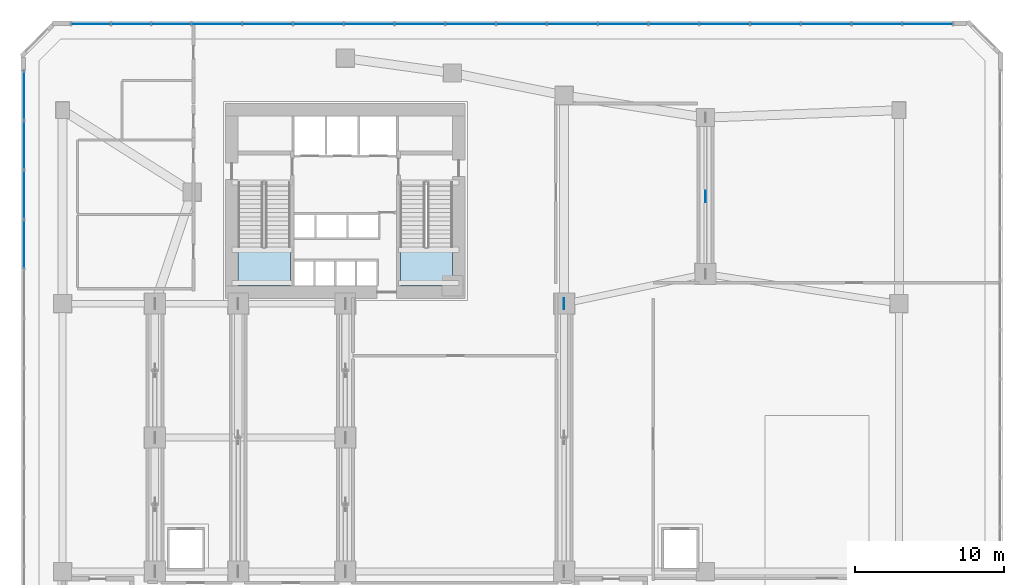
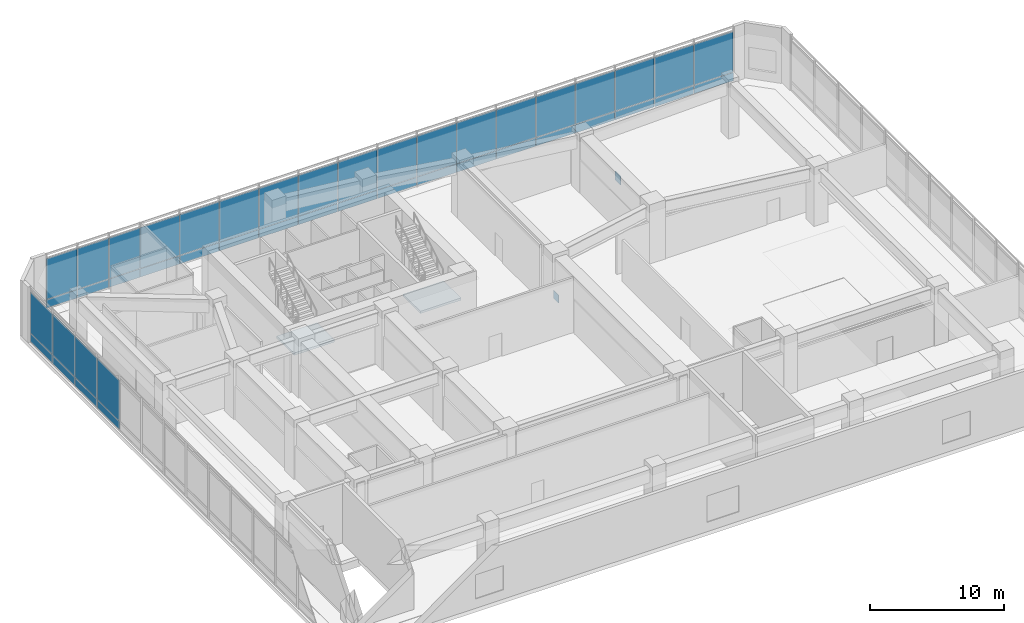
# One storey, part 13 of 21: 46 plates, 2 slabs, 4 elements without a shape of their own.
"""IFC4 building model written with IfcOpenShell, lengths in metres."""

from ifc_helpers import new_model, si_unit, direction, frame, frame_2d, origin, origin_2d, place, context, subcontext, project, spatial, polyline, rectangle, outline, extrude, source, transform, mapped, material, layer, layer_set, type_object, element, aggregate, save


model = new_model("IFC4")

# Units and contexts
model_context = context("Model", 3, precision=1e-05, world=origin(), true_north=direction((0.0, 1.0)))
body_context = subcontext(model_context, "Body", "Model", "MODEL_VIEW")
ifc_project = project(units=[si_unit("LENGTHUNIT", "METRE"), si_unit("AREAUNIT", "SQUARE_METRE"), si_unit("VOLUMEUNIT", "CUBIC_METRE"), si_unit("PLANEANGLEUNIT", "RADIAN"), si_unit("MASSUNIT", "GRAM", prefix="KILO")], contexts=[model_context])

# Site, building, storey
site_placement = place(None, origin())
site = spatial("IfcSite", under=ifc_project, at=site_placement, CompositionType="ELEMENT")
building_placement = place(site_placement, origin())
building = spatial("IfcBuilding", under=site, at=building_placement, Name="Calvemar Wedge Station Tower", CompositionType="ELEMENT")
storey_placement = place(building_placement, frame((0.0, 0.0, 21.60009765625)))
storey = spatial("IfcBuildingStorey", under=building, at=storey_placement, Name="L05", CompositionType="ELEMENT", Elevation=21.60009765625)

# Curtain wall, plates
ifc_material_1 = material(Name="Anodised aluminium 6063-T6", Category="aluminium")
curtain_wall_type = type_object("IfcCurtainWallType", Name="CW5", PredefinedType="NOTDEFINED", material=ifc_material_1)
curtain_wall_1_placement = place(storey_placement, origin())
curtain_wall_1 = element("IfcCurtainWall", 1, at=curtain_wall_1_placement, inside=storey, type_object=curtain_wall_type, Name="Storey L05 CW5 Recessed Unitised Curtain Wall 4", PredefinedType="NOTDEFINED")
ifc_material_2 = material(Name="Low-E laminated insulated glass", Category="glass")
ifc_layer_1 = layer(ifc_material_2, 0.028076171875)
ifc_layer_set_1 = layer_set([ifc_layer_1], Name="Low-E laminated insulated glass")
plate_type_1 = type_object("IfcPlateType", Name="CW5-GLZ", PredefinedType="CURTAIN_PANEL", material=ifc_layer_set_1)
plate_1_placement = place(storey_placement, frame((64.619873046875, 51.7900390625, 0.869873046875), z_axis=(0.0, 0.0, 1.0), x_axis=(-1.0, 0.0, 0.0)))
plate_1 = element("IfcPlate", 2, at=plate_1_placement, type_object=plate_type_1, Name="CW5 vision glass panel 1", PredefinedType="CURTAIN_PANEL", context=body_context, shape_type="SweptSolid", body=[
    extrude(rectangle(XDim=3.3759765625, YDim=0.028076171875, at=frame_2d((1.68798828125, 0.0))), origin(), (0.0, 0.0, 1.0), 3.7099609375),
])
plate_2_placement = place(storey_placement, frame((61.2080078125, 51.7900390625, 0.869873046875), z_axis=(0.0, 0.0, 1.0), x_axis=(-1.0, 0.0, 0.0)))
plate_2 = element("IfcPlate", 3, at=plate_2_placement, type_object=plate_type_1, Name="CW5 vision glass panel 2", PredefinedType="CURTAIN_PANEL", context=body_context, shape_type="SweptSolid", body=[
    extrude(rectangle(XDim=3.375732421875, YDim=0.028076171875, at=frame_2d((1.68798828125, 0.0))), origin(), (0.0, 0.0, 1.0), 3.7099609375),
])
plate_3_placement = place(storey_placement, frame((57.796142578125, 51.7900390625, 0.869873046875), z_axis=(0.0, 0.0, 1.0), x_axis=(-1.0, 0.0, 0.0)))
plate_3 = element("IfcPlate", 4, at=plate_3_placement, type_object=plate_type_1, Name="CW5 vision glass panel 3", PredefinedType="CURTAIN_PANEL", context=body_context, shape_type="SweptSolid", body=[
    extrude(rectangle(XDim=3.375732421875, YDim=0.028076171875, at=frame_2d((1.68798828125, 0.0))), origin(), (0.0, 0.0, 1.0), 3.7099609375),
])
plate_4_placement = place(storey_placement, frame((54.38427734375, 51.7900390625, 0.869873046875), z_axis=(0.0, 0.0, 1.0), x_axis=(-1.0, 0.0, 0.0)))
plate_4 = element("IfcPlate", 5, at=plate_4_placement, type_object=plate_type_1, Name="CW5 vision glass panel 4", PredefinedType="CURTAIN_PANEL", context=body_context, shape_type="SweptSolid", body=[
    extrude(rectangle(XDim=3.375732421875, YDim=0.028076171875, at=frame_2d((1.68798828125, 0.0))), origin(), (0.0, 0.0, 1.0), 3.7099609375),
])
plate_5_placement = place(storey_placement, frame((50.972412109375, 51.7900390625, 0.869873046875), z_axis=(0.0, 0.0, 1.0), x_axis=(-1.0, 0.0, 0.0)))
plate_5 = element("IfcPlate", 6, at=plate_5_placement, type_object=plate_type_1, Name="CW5 vision glass panel 5", PredefinedType="CURTAIN_PANEL", context=body_context, shape_type="SweptSolid", body=[
    extrude(rectangle(XDim=3.375732421875, YDim=0.028076171875, at=frame_2d((1.68798828125, 0.0))), origin(), (0.0, 0.0, 1.0), 3.7099609375),
])
plate_6_placement = place(storey_placement, frame((47.560546875, 51.7900390625, 0.869873046875), z_axis=(0.0, 0.0, 1.0), x_axis=(-1.0, 0.0, 0.0)))
plate_6 = element("IfcPlate", 7, at=plate_6_placement, type_object=plate_type_1, Name="CW5 vision glass panel 6", PredefinedType="CURTAIN_PANEL", context=body_context, shape_type="SweptSolid", body=[
    extrude(rectangle(XDim=3.375732421875, YDim=0.028076171875, at=frame_2d((1.68798828125, 0.0))), origin(), (0.0, 0.0, 1.0), 3.7099609375),
])
plate_7_placement = place(storey_placement, frame((44.148681640625, 51.7900390625, 0.869873046875), z_axis=(0.0, 0.0, 1.0), x_axis=(-1.0, 0.0, 0.0)))
plate_7 = element("IfcPlate", 8, at=plate_7_placement, type_object=plate_type_1, Name="CW5 vision glass panel 7", PredefinedType="CURTAIN_PANEL", context=body_context, shape_type="SweptSolid", body=[
    extrude(rectangle(XDim=3.375732421875, YDim=0.028076171875, at=frame_2d((1.68798828125, 0.0))), origin(), (0.0, 0.0, 1.0), 3.7099609375),
])
plate_8_placement = place(storey_placement, frame((40.73681640625, 51.7900390625, 0.869873046875), z_axis=(0.0, 0.0, 1.0), x_axis=(-1.0, 0.0, 0.0)))
plate_8 = element("IfcPlate", 9, at=plate_8_placement, type_object=plate_type_1, Name="CW5 vision glass panel 8", PredefinedType="CURTAIN_PANEL", context=body_context, shape_type="SweptSolid", body=[
    extrude(rectangle(XDim=3.375732421875, YDim=0.028076171875, at=frame_2d((1.68798828125, 0.0))), origin(), (0.0, 0.0, 1.0), 3.7099609375),
])
plate_9_placement = place(storey_placement, frame((37.324951171875, 51.7900390625, 0.869873046875), z_axis=(0.0, 0.0, 1.0), x_axis=(-1.0, 0.0, 0.0)))
plate_9 = element("IfcPlate", 10, at=plate_9_placement, type_object=plate_type_1, Name="CW5 vision glass panel 9", PredefinedType="CURTAIN_PANEL", context=body_context, shape_type="SweptSolid", body=[
    extrude(rectangle(XDim=3.375732421875, YDim=0.028076171875, at=frame_2d((1.68798828125, 0.0))), origin(), (0.0, 0.0, 1.0), 3.7099609375),
])
plate_10_placement = place(storey_placement, frame((33.9130859375, 51.7900390625, 0.869873046875), z_axis=(0.0, 0.0, 1.0), x_axis=(-1.0, 0.0, 0.0)))
plate_10 = element("IfcPlate", 11, at=plate_10_placement, type_object=plate_type_1, Name="CW5 vision glass panel 10", PredefinedType="CURTAIN_PANEL", context=body_context, shape_type="SweptSolid", body=[
    extrude(rectangle(XDim=3.375732421875, YDim=0.028076171875, at=frame_2d((1.68798828125, 0.0))), origin(), (0.0, 0.0, 1.0), 3.7099609375),
])
plate_11_placement = place(storey_placement, frame((30.501220703125, 51.7900390625, 0.869873046875), z_axis=(0.0, 0.0, 1.0), x_axis=(-1.0, 0.0, 0.0)))
plate_11 = element("IfcPlate", 12, at=plate_11_placement, type_object=plate_type_1, Name="CW5 vision glass panel 11", PredefinedType="CURTAIN_PANEL", context=body_context, shape_type="SweptSolid", body=[
    extrude(rectangle(XDim=3.375732421875, YDim=0.028076171875, at=frame_2d((1.68798828125, 0.0))), origin(), (0.0, 0.0, 1.0), 3.7099609375),
])
plate_12_placement = place(storey_placement, frame((27.08935546875, 51.7900390625, 0.869873046875), z_axis=(0.0, 0.0, 1.0), x_axis=(-1.0, 0.0, 0.0)))
plate_12 = element("IfcPlate", 13, at=plate_12_placement, type_object=plate_type_1, Name="CW5 vision glass panel 12", PredefinedType="CURTAIN_PANEL", context=body_context, shape_type="SweptSolid", body=[
    extrude(rectangle(XDim=3.375732421875, YDim=0.028076171875, at=frame_2d((1.68798828125, 0.0))), origin(), (0.0, 0.0, 1.0), 3.7099609375),
])
plate_13_placement = place(storey_placement, frame((23.677490234375, 51.7900390625, 0.869873046875), z_axis=(0.0, 0.0, 1.0), x_axis=(-1.0, 0.0, 0.0)))
plate_13 = element("IfcPlate", 14, at=plate_13_placement, type_object=plate_type_1, Name="CW5 vision glass panel 13", PredefinedType="CURTAIN_PANEL", context=body_context, shape_type="SweptSolid", body=[
    extrude(rectangle(XDim=3.375732421875, YDim=0.028076171875, at=frame_2d((1.68798828125, 0.0))), origin(), (0.0, 0.0, 1.0), 3.7099609375),
])
plate_14_placement = place(storey_placement, frame((20.265625, 51.7900390625, 0.869873046875), z_axis=(0.0, 0.0, 1.0), x_axis=(-1.0, 0.0, 0.0)))
plate_14 = element("IfcPlate", 15, at=plate_14_placement, type_object=plate_type_1, Name="CW5 vision glass panel 14", PredefinedType="CURTAIN_PANEL", context=body_context, shape_type="SweptSolid", body=[
    extrude(rectangle(XDim=3.375732421875, YDim=0.028076171875, at=frame_2d((1.68798828125, 0.0))), origin(), (0.0, 0.0, 1.0), 3.7099609375),
])
plate_15_placement = place(storey_placement, frame((16.85400390625, 51.7900390625, 0.869873046875), z_axis=(0.0, 0.0, 1.0), x_axis=(-1.0, 0.0, 0.0)))
plate_15 = element("IfcPlate", 16, at=plate_15_placement, type_object=plate_type_1, Name="CW5 vision glass panel 15", PredefinedType="CURTAIN_PANEL", context=body_context, shape_type="SweptSolid", body=[
    extrude(rectangle(XDim=3.3759765625, YDim=0.028076171875, at=frame_2d((1.68798828125, 0.0))), origin(), (0.0, 0.0, 1.0), 3.7099609375),
])
plate_16_placement = place(storey_placement, frame((13.44189453125, 51.7900390625, 0.869873046875), z_axis=(0.0, 0.0, 1.0), x_axis=(-1.0, 0.0, 0.0)))
plate_16 = element("IfcPlate", 17, at=plate_16_placement, type_object=plate_type_1, Name="CW5 vision glass panel 16", PredefinedType="CURTAIN_PANEL", context=body_context, shape_type="SweptSolid", body=[
    extrude(rectangle(XDim=2.6630859375, YDim=0.028076171875, at=frame_2d((1.33154296875, 0.0))), origin(), (0.0, 0.0, 1.0), 3.7099609375),
])
plate_17_placement = place(storey_placement, frame((10.74267578125, 51.7900390625, 0.869873046875), z_axis=(0.0, 0.0, 1.0), x_axis=(-1.0, 0.0, 0.0)))
plate_17 = element("IfcPlate", 18, at=plate_17_placement, type_object=plate_type_1, Name="CW5 vision glass panel 17", PredefinedType="CURTAIN_PANEL", context=body_context, shape_type="SweptSolid", body=[
    extrude(rectangle(XDim=2.663330078125, YDim=0.028076171875, at=frame_2d((1.33154296875, 0.0))), origin(), (0.0, 0.0, 1.0), 3.7099609375),
])
plate_18_placement = place(storey_placement, frame((8.04345703125, 51.7900390625, 0.869873046875), z_axis=(0.0, 0.0, 1.0), x_axis=(-1.0, 0.0, 0.0)))
plate_18 = element("IfcPlate", 19, at=plate_18_placement, type_object=plate_type_1, Name="CW5 vision glass panel 18", PredefinedType="CURTAIN_PANEL", context=body_context, shape_type="SweptSolid", body=[
    extrude(rectangle(XDim=2.663330078125, YDim=0.028076171875, at=frame_2d((1.33154296875, 0.0))), origin(), (0.0, 0.0, 1.0), 3.7099609375),
])

curtain_wall_2_placement = place(storey_placement, origin())
curtain_wall_2 = element("IfcCurtainWall", 20, at=curtain_wall_2_placement, inside=storey, type_object=curtain_wall_type, Name="Storey L05 CW5 Recessed Unitised Curtain Wall 6", PredefinedType="NOTDEFINED")
plate_19_placement = place(storey_placement, frame((2.2099609375, 48.619873046875, 0.869873046875), z_axis=(0.0, 0.0, 1.0), x_axis=(0.0, -1.0, 0.0)))
plate_19 = element("IfcPlate", 21, at=plate_19_placement, type_object=plate_type_1, Name="CW5 vision glass panel 1", PredefinedType="CURTAIN_PANEL", context=body_context, shape_type="SweptSolid", body=[
    extrude(rectangle(XDim=3.29296875, YDim=0.028076171875, at=frame_2d((1.646484375, 0.0))), origin(), (0.0, 0.0, 1.0), 3.7099609375),
])
plate_20_placement = place(storey_placement, frame((2.2099609375, 45.291015625, 0.869873046875), z_axis=(0.0, 0.0, 1.0), x_axis=(0.0, -1.0, 0.0)))
plate_20 = element("IfcPlate", 22, at=plate_20_placement, type_object=plate_type_1, Name="CW5 vision glass panel 2", PredefinedType="CURTAIN_PANEL", context=body_context, shape_type="SweptSolid", body=[
    extrude(rectangle(XDim=3.29296875, YDim=0.028076171875, at=frame_2d((1.646484375, 0.0))), origin(), (0.0, 0.0, 1.0), 3.7099609375),
])
plate_21_placement = place(storey_placement, frame((2.2099609375, 41.962158203125, 0.869873046875), z_axis=(0.0, 0.0, 1.0), x_axis=(0.0, -1.0, 0.0)))
plate_21 = element("IfcPlate", 23, at=plate_21_placement, type_object=plate_type_1, Name="CW5 vision glass panel 3", PredefinedType="CURTAIN_PANEL", context=body_context, shape_type="SweptSolid", body=[
    extrude(rectangle(XDim=3.29296875, YDim=0.028076171875, at=frame_2d((1.646484375, 0.0))), origin(), (0.0, 0.0, 1.0), 3.7099609375),
])
plate_22_placement = place(storey_placement, frame((2.2099609375, 38.63330078125, 0.869873046875), z_axis=(0.0, 0.0, 1.0), x_axis=(0.0, -1.0, 0.0)))
plate_22 = element("IfcPlate", 24, at=plate_22_placement, type_object=plate_type_1, Name="CW5 vision glass panel 4", PredefinedType="CURTAIN_PANEL", context=body_context, shape_type="SweptSolid", body=[
    extrude(rectangle(XDim=3.29296875, YDim=0.028076171875, at=frame_2d((1.646484375, 0.0))), origin(), (0.0, 0.0, 1.0), 3.7099609375),
])

# Plate
ifc_material_3 = material(Name="Oxidized bronze aluminium spandrel panel 5005-H24", Category="aluminium")
ifc_layer_2 = layer(ifc_material_3, 0.0400390625)
ifc_layer_set_2 = layer_set([ifc_layer_2], Name="Oxidized bronze aluminium spandrel panel 5005-H24")
plate_type_2 = type_object("IfcPlateType", Name="CW5-SPD", PredefinedType="SHEET", material=ifc_layer_set_2)
plate_23_placement = place(storey_placement, frame((64.619873046875, 51.7900390625, 0.079833984375), z_axis=(0.0, 0.0, 1.0), x_axis=(-1.0, 0.0, 0.0)))
plate_23 = element("IfcPlate", 25, at=plate_23_placement, type_object=plate_type_2, Name="CW5 bronze spandrel panel 1", PredefinedType="SHEET", context=body_context, shape_type="SweptSolid", body=[
    extrude(rectangle(XDim=3.3759765625, YDim=0.0400390625, at=frame_2d((1.68798828125, 0.0))), origin(), (0.0, 0.0, 1.0), 0.75),
])

plate_24_placement = place(storey_placement, frame((61.2080078125, 51.7900390625, 0.079833984375), z_axis=(0.0, 0.0, 1.0), x_axis=(-1.0, 0.0, 0.0)))
plate_24 = element("IfcPlate", 26, at=plate_24_placement, type_object=plate_type_2, Name="CW5 bronze spandrel panel 2", PredefinedType="SHEET", context=body_context, shape_type="SweptSolid", body=[
    extrude(rectangle(XDim=3.375732421875, YDim=0.0400390625, at=frame_2d((1.68798828125, 0.0))), origin(), (0.0, 0.0, 1.0), 0.75),
])

plate_25_placement = place(storey_placement, frame((57.796142578125, 51.7900390625, 0.079833984375), z_axis=(0.0, 0.0, 1.0), x_axis=(-1.0, 0.0, 0.0)))
plate_25 = element("IfcPlate", 27, at=plate_25_placement, type_object=plate_type_2, Name="CW5 bronze spandrel panel 3", PredefinedType="SHEET", context=body_context, shape_type="SweptSolid", body=[
    extrude(rectangle(XDim=3.375732421875, YDim=0.0400390625, at=frame_2d((1.68798828125, 0.0))), origin(), (0.0, 0.0, 1.0), 0.75),
])

plate_26_placement = place(storey_placement, frame((54.38427734375, 51.7900390625, 0.079833984375), z_axis=(0.0, 0.0, 1.0), x_axis=(-1.0, 0.0, 0.0)))
plate_26 = element("IfcPlate", 28, at=plate_26_placement, type_object=plate_type_2, Name="CW5 bronze spandrel panel 4", PredefinedType="SHEET", context=body_context, shape_type="SweptSolid", body=[
    extrude(rectangle(XDim=3.375732421875, YDim=0.0400390625, at=frame_2d((1.68798828125, 0.0))), origin(), (0.0, 0.0, 1.0), 0.75),
])

plate_27_placement = place(storey_placement, frame((50.972412109375, 51.7900390625, 0.079833984375), z_axis=(0.0, 0.0, 1.0), x_axis=(-1.0, 0.0, 0.0)))
plate_27 = element("IfcPlate", 29, at=plate_27_placement, type_object=plate_type_2, Name="CW5 bronze spandrel panel 5", PredefinedType="SHEET", context=body_context, shape_type="SweptSolid", body=[
    extrude(rectangle(XDim=3.375732421875, YDim=0.0400390625, at=frame_2d((1.68798828125, 0.0))), origin(), (0.0, 0.0, 1.0), 0.75),
])

plate_28_placement = place(storey_placement, frame((47.560546875, 51.7900390625, 0.079833984375), z_axis=(0.0, 0.0, 1.0), x_axis=(-1.0, 0.0, 0.0)))
plate_28 = element("IfcPlate", 30, at=plate_28_placement, type_object=plate_type_2, Name="CW5 bronze spandrel panel 6", PredefinedType="SHEET", context=body_context, shape_type="SweptSolid", body=[
    extrude(rectangle(XDim=3.375732421875, YDim=0.0400390625, at=frame_2d((1.68798828125, 0.0))), origin(), (0.0, 0.0, 1.0), 0.75),
])

plate_29_placement = place(storey_placement, frame((44.148681640625, 51.7900390625, 0.079833984375), z_axis=(0.0, 0.0, 1.0), x_axis=(-1.0, 0.0, 0.0)))
plate_29 = element("IfcPlate", 31, at=plate_29_placement, type_object=plate_type_2, Name="CW5 bronze spandrel panel 7", PredefinedType="SHEET", context=body_context, shape_type="SweptSolid", body=[
    extrude(rectangle(XDim=3.375732421875, YDim=0.0400390625, at=frame_2d((1.68798828125, 0.0))), origin(), (0.0, 0.0, 1.0), 0.75),
])

plate_30_placement = place(storey_placement, frame((40.73681640625, 51.7900390625, 0.079833984375), z_axis=(0.0, 0.0, 1.0), x_axis=(-1.0, 0.0, 0.0)))
plate_30 = element("IfcPlate", 32, at=plate_30_placement, type_object=plate_type_2, Name="CW5 bronze spandrel panel 8", PredefinedType="SHEET", context=body_context, shape_type="SweptSolid", body=[
    extrude(rectangle(XDim=3.375732421875, YDim=0.0400390625, at=frame_2d((1.68798828125, 0.0))), origin(), (0.0, 0.0, 1.0), 0.75),
])

plate_31_placement = place(storey_placement, frame((37.324951171875, 51.7900390625, 0.079833984375), z_axis=(0.0, 0.0, 1.0), x_axis=(-1.0, 0.0, 0.0)))
plate_31 = element("IfcPlate", 33, at=plate_31_placement, type_object=plate_type_2, Name="CW5 bronze spandrel panel 9", PredefinedType="SHEET", context=body_context, shape_type="SweptSolid", body=[
    extrude(rectangle(XDim=3.375732421875, YDim=0.0400390625, at=frame_2d((1.68798828125, 0.0))), origin(), (0.0, 0.0, 1.0), 0.75),
])

plate_32_placement = place(storey_placement, frame((33.9130859375, 51.7900390625, 0.079833984375), z_axis=(0.0, 0.0, 1.0), x_axis=(-1.0, 0.0, 0.0)))
plate_32 = element("IfcPlate", 34, at=plate_32_placement, type_object=plate_type_2, Name="CW5 bronze spandrel panel 10", PredefinedType="SHEET", context=body_context, shape_type="SweptSolid", body=[
    extrude(rectangle(XDim=3.375732421875, YDim=0.0400390625, at=frame_2d((1.68798828125, 0.0))), origin(), (0.0, 0.0, 1.0), 0.75),
])

plate_33_placement = place(storey_placement, frame((30.501220703125, 51.7900390625, 0.079833984375), z_axis=(0.0, 0.0, 1.0), x_axis=(-1.0, 0.0, 0.0)))
plate_33 = element("IfcPlate", 35, at=plate_33_placement, type_object=plate_type_2, Name="CW5 bronze spandrel panel 11", PredefinedType="SHEET", context=body_context, shape_type="SweptSolid", body=[
    extrude(rectangle(XDim=3.375732421875, YDim=0.0400390625, at=frame_2d((1.68798828125, 0.0))), origin(), (0.0, 0.0, 1.0), 0.75),
])

plate_34_placement = place(storey_placement, frame((27.08935546875, 51.7900390625, 0.079833984375), z_axis=(0.0, 0.0, 1.0), x_axis=(-1.0, 0.0, 0.0)))
plate_34 = element("IfcPlate", 36, at=plate_34_placement, type_object=plate_type_2, Name="CW5 bronze spandrel panel 12", PredefinedType="SHEET", context=body_context, shape_type="SweptSolid", body=[
    extrude(rectangle(XDim=3.375732421875, YDim=0.0400390625, at=frame_2d((1.68798828125, 0.0))), origin(), (0.0, 0.0, 1.0), 0.75),
])

plate_35_placement = place(storey_placement, frame((23.677490234375, 51.7900390625, 0.079833984375), z_axis=(0.0, 0.0, 1.0), x_axis=(-1.0, 0.0, 0.0)))
plate_35 = element("IfcPlate", 37, at=plate_35_placement, type_object=plate_type_2, Name="CW5 bronze spandrel panel 13", PredefinedType="SHEET", context=body_context, shape_type="SweptSolid", body=[
    extrude(rectangle(XDim=3.375732421875, YDim=0.0400390625, at=frame_2d((1.68798828125, 0.0))), origin(), (0.0, 0.0, 1.0), 0.75),
])

plate_36_placement = place(storey_placement, frame((20.265625, 51.7900390625, 0.079833984375), z_axis=(0.0, 0.0, 1.0), x_axis=(-1.0, 0.0, 0.0)))
plate_36 = element("IfcPlate", 38, at=plate_36_placement, type_object=plate_type_2, Name="CW5 bronze spandrel panel 14", PredefinedType="SHEET", context=body_context, shape_type="SweptSolid", body=[
    extrude(rectangle(XDim=3.375732421875, YDim=0.0400390625, at=frame_2d((1.68798828125, 0.0))), origin(), (0.0, 0.0, 1.0), 0.75),
])

plate_37_placement = place(storey_placement, frame((16.85400390625, 51.7900390625, 0.079833984375), z_axis=(0.0, 0.0, 1.0), x_axis=(-1.0, 0.0, 0.0)))
plate_37 = element("IfcPlate", 39, at=plate_37_placement, type_object=plate_type_2, Name="CW5 bronze spandrel panel 15", PredefinedType="SHEET", context=body_context, shape_type="SweptSolid", body=[
    extrude(rectangle(XDim=3.3759765625, YDim=0.0400390625, at=frame_2d((1.68798828125, 0.0))), origin(), (0.0, 0.0, 1.0), 0.75),
])

plate_38_placement = place(storey_placement, frame((13.44189453125, 51.7900390625, 0.079833984375), z_axis=(0.0, 0.0, 1.0), x_axis=(-1.0, 0.0, 0.0)))
plate_38 = element("IfcPlate", 40, at=plate_38_placement, type_object=plate_type_2, Name="CW5 bronze spandrel panel 16", PredefinedType="SHEET", context=body_context, shape_type="SweptSolid", body=[
    extrude(rectangle(XDim=2.6630859375, YDim=0.0400390625, at=frame_2d((1.33154296875, 0.0))), origin(), (0.0, 0.0, 1.0), 0.75),
])

plate_39_placement = place(storey_placement, frame((10.74267578125, 51.7900390625, 0.079833984375), z_axis=(0.0, 0.0, 1.0), x_axis=(-1.0, 0.0, 0.0)))
plate_39 = element("IfcPlate", 41, at=plate_39_placement, type_object=plate_type_2, Name="CW5 bronze spandrel panel 17", PredefinedType="SHEET", context=body_context, shape_type="SweptSolid", body=[
    extrude(rectangle(XDim=2.663330078125, YDim=0.0400390625, at=frame_2d((1.33154296875, 0.0))), origin(), (0.0, 0.0, 1.0), 0.75),
])

plate_40_placement = place(storey_placement, frame((8.04345703125, 51.7900390625, 0.079833984375), z_axis=(0.0, 0.0, 1.0), x_axis=(-1.0, 0.0, 0.0)))
plate_40 = element("IfcPlate", 42, at=plate_40_placement, type_object=plate_type_2, Name="CW5 bronze spandrel panel 18", PredefinedType="SHEET", context=body_context, shape_type="SweptSolid", body=[
    extrude(rectangle(XDim=2.663330078125, YDim=0.0400390625, at=frame_2d((1.33154296875, 0.0))), origin(), (0.0, 0.0, 1.0), 0.75),
])

aggregate(curtain_wall_1, [plate_23, plate_1, plate_24, plate_2, plate_25, plate_3, plate_26, plate_4, plate_27, plate_5, plate_28, plate_6, plate_29, plate_7, plate_30, plate_8, plate_31, plate_9, plate_32, plate_10, plate_33, plate_11, plate_34, plate_12, plate_35, plate_13, plate_36, plate_14, plate_37, plate_15, plate_38, plate_16, plate_39, plate_17, plate_40, plate_18])

plate_41_placement = place(storey_placement, frame((2.2099609375, 48.619873046875, 0.079833984375), z_axis=(0.0, 0.0, 1.0), x_axis=(0.0, -1.0, 0.0)))
plate_41 = element("IfcPlate", 43, at=plate_41_placement, type_object=plate_type_2, Name="CW5 bronze spandrel panel 1", PredefinedType="SHEET", context=body_context, shape_type="SweptSolid", body=[
    extrude(rectangle(XDim=3.29296875, YDim=0.0400390625, at=frame_2d((1.646484375, 0.0))), origin(), (0.0, 0.0, 1.0), 0.75),
])

plate_42_placement = place(storey_placement, frame((2.2099609375, 45.291015625, 0.079833984375), z_axis=(0.0, 0.0, 1.0), x_axis=(0.0, -1.0, 0.0)))
plate_42 = element("IfcPlate", 44, at=plate_42_placement, type_object=plate_type_2, Name="CW5 bronze spandrel panel 2", PredefinedType="SHEET", context=body_context, shape_type="SweptSolid", body=[
    extrude(rectangle(XDim=3.29296875, YDim=0.0400390625, at=frame_2d((1.646484375, 0.0))), origin(), (0.0, 0.0, 1.0), 0.75),
])

plate_43_placement = place(storey_placement, frame((2.2099609375, 41.962158203125, 0.079833984375), z_axis=(0.0, 0.0, 1.0), x_axis=(0.0, -1.0, 0.0)))
plate_43 = element("IfcPlate", 45, at=plate_43_placement, type_object=plate_type_2, Name="CW5 bronze spandrel panel 3", PredefinedType="SHEET", context=body_context, shape_type="SweptSolid", body=[
    extrude(rectangle(XDim=3.29296875, YDim=0.0400390625, at=frame_2d((1.646484375, 0.0))), origin(), (0.0, 0.0, 1.0), 0.75),
])

plate_44_placement = place(storey_placement, frame((2.2099609375, 38.63330078125, 0.079833984375), z_axis=(0.0, 0.0, 1.0), x_axis=(0.0, -1.0, 0.0)))
plate_44 = element("IfcPlate", 46, at=plate_44_placement, type_object=plate_type_2, Name="CW5 bronze spandrel panel 4", PredefinedType="SHEET", context=body_context, shape_type="SweptSolid", body=[
    extrude(rectangle(XDim=3.29296875, YDim=0.0400390625, at=frame_2d((1.646484375, 0.0))), origin(), (0.0, 0.0, 1.0), 0.75),
])

aggregate(curtain_wall_2, [plate_41, plate_19, plate_42, plate_20, plate_43, plate_21, plate_44, plate_22])

# Stair, slab
ifc_material_4 = material(Name="Concrete C45", Category="concrete")
stair_type = type_object("IfcStairType", Name="ST-TYPE-5400", PredefinedType="HALF_TURN_STAIR", material=ifc_material_4)
stair_1_placement = place(storey_placement, origin())
stair_1 = element("IfcStair", 47, at=stair_1_placement, inside=storey, type_object=stair_type, Name="L05 Pressurized Core Exit Stair ST-C1", PredefinedType="HALF_TURN_STAIR")
ifc_layer_3 = layer(ifc_material_4, 0.199951171875)
ifc_layer_set_3 = layer_set([ifc_layer_3], Name="Concrete C45")
slab_type = type_object("IfcSlabType", Name="SL-STAIR-LND-200", PredefinedType="LANDING", material=ifc_layer_set_3)
slab_1_placement = place(storey_placement, frame((0.0, 0.0, 2.5)))
slab_1 = element("IfcSlab", 48, at=slab_1_placement, type_object=slab_type, Name="ST-C1 landing 1", PredefinedType="LANDING", context=body_context, shape_type="SweptSolid", body=[
    extrude(outline(polyline([(16.60009765625, 36.800048828125), (16.60009765625, 34.199951171875), (20.10009765625, 34.199951171875), (20.10009765625, 36.800048828125), (16.60009765625, 36.800048828125)])), origin(), (0.0, 0.0, 1.0), 0.199951171875),
])
aggregate(stair_1, [slab_1])

stair_2_placement = place(storey_placement, origin())
stair_2 = element("IfcStair", 49, at=stair_2_placement, inside=storey, type_object=stair_type, Name="L05 Pressurized Core Exit Stair ST-C2", PredefinedType="HALF_TURN_STAIR")
slab_2_placement = place(storey_placement, frame((0.0, 0.0, 2.5)))
slab_2 = element("IfcSlab", 50, at=slab_2_placement, type_object=slab_type, Name="ST-C2 landing 1", PredefinedType="LANDING", context=body_context, shape_type="SweptSolid", body=[
    extrude(outline(polyline([(27.5, 36.800048828125), (27.5, 34.199951171875), (31.0, 34.199951171875), (31.0, 36.800048828125), (27.5, 36.800048828125)])), origin(), (0.0, 0.0, 1.0), 0.199951171875),
])
aggregate(stair_2, [slab_2])

# Plates
ifc_material_5 = material(Name="Structural steel ASTM A572 Grade 50", Category="steel")
ifc_layer_4 = layer(ifc_material_5, 0.0400390625)
ifc_layer_set_4 = layer_set([ifc_layer_4], Name="Structural steel ASTM A572 Grade 50")
plate_type_3 = type_object("IfcPlateType", Name="PL-NP-40", PredefinedType="USERDEFINED", material=ifc_layer_set_4)
shared_shape_1 = source(origin(), body_context, "Body", "SweptSolid", [
    extrude(rectangle(XDim=0.75, YDim=0.0400390625, at=origin_2d()), origin(), (0.0, 0.0, 1.0), 0.75),
])
plate_45_placement = place(storey_placement, frame((38.5, 33.0, 0.555908203125), z_axis=(0.0, 0.0, 1.0), x_axis=(0.0, 1.0, 0.0)))
element("IfcPlate", 51, at=plate_45_placement, inside=storey, type_object=plate_type_3, Name="Warren Truss TR4 North Foot Gusset Plate 1", ObjectType="GUSSET PLATE", PredefinedType="USERDEFINED", context=body_context, shape_type="MappedRepresentation", body=[
    mapped(shared_shape_1, transform((0.0, 0.0, 0.0), scale=1.0)),
])
shared_shape_2 = source(origin(), body_context, "Body", "SweptSolid", [
    extrude(rectangle(XDim=0.800048828125, YDim=0.0400390625, at=origin_2d()), origin(), (0.0, 0.0, 1.0), 0.800048828125),
])
plate_46_placement = place(storey_placement, frame((48.0, 40.199951171875, 3.64990234375), z_axis=(0.0, 0.0, 1.0), x_axis=(0.0, 1.0, 0.0)))
element("IfcPlate", 52, at=plate_46_placement, inside=storey, type_object=plate_type_3, Name="L05 Transfer Strut Apex Gusset Plate", ObjectType="GUSSET PLATE", PredefinedType="USERDEFINED", context=body_context, shape_type="MappedRepresentation", body=[
    mapped(shared_shape_2, transform((0.0, 0.0, 0.0), scale=1.0)),
])

save(model, "model.ifc")
